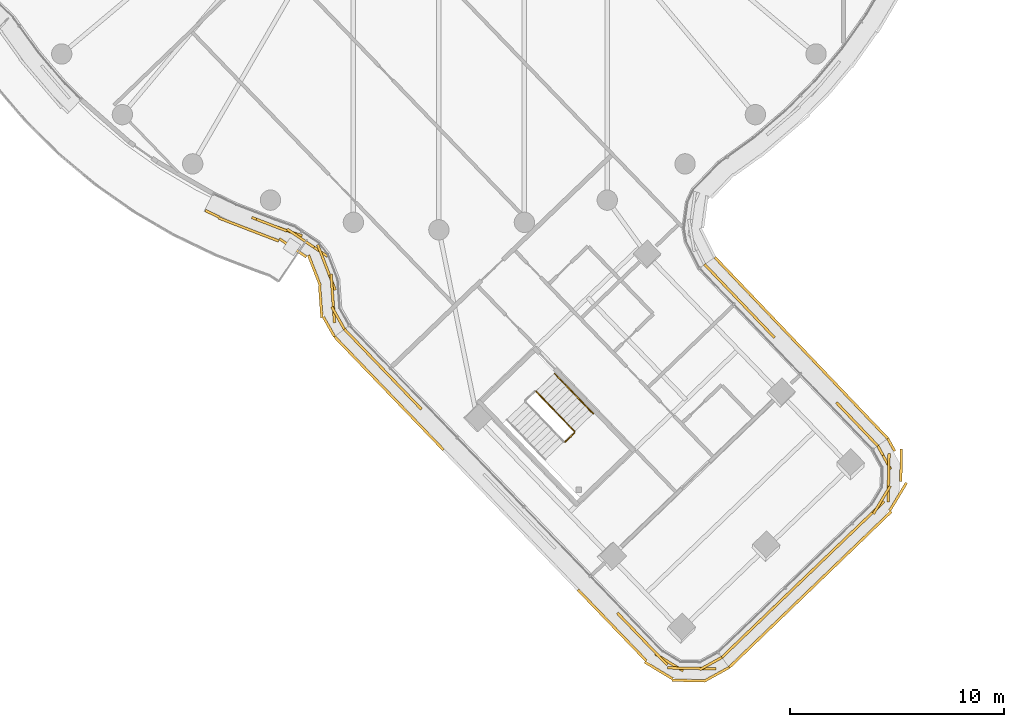
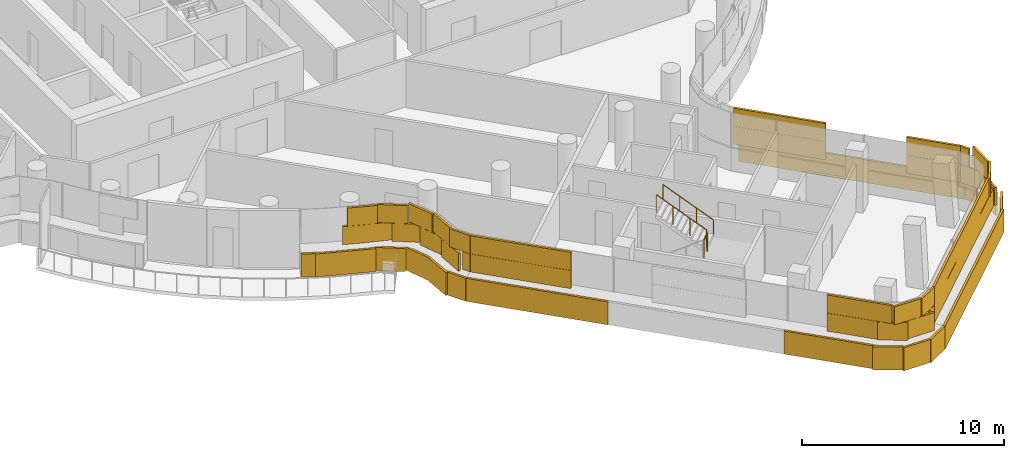
# One storey, part 28 of 34: 5 coverings, 3 railings.
"""IFC4 building model written with IfcOpenShell, lengths in metres."""

from ifc_helpers import new_model, si_unit, direction, frame, origin, origin_2d, place, context, subcontext, project, spatial, rectangle, circle, extrude, material, layer, layer_set, type_object, element, save


model = new_model("IFC4")

# Units and contexts
model_context = context("Model", 3, precision=1e-05, world=origin(), true_north=direction((0.0, 1.0)))
body_context = subcontext(model_context, "Body", "Model", "MODEL_VIEW")
ifc_project = project(units=[si_unit("LENGTHUNIT", "METRE"), si_unit("AREAUNIT", "SQUARE_METRE"), si_unit("VOLUMEUNIT", "CUBIC_METRE"), si_unit("PLANEANGLEUNIT", "RADIAN"), si_unit("MASSUNIT", "GRAM", prefix="KILO")], contexts=[model_context])

# Site, building, storey
site_placement = place(None, origin())
site = spatial("IfcSite", under=ifc_project, at=site_placement, CompositionType="ELEMENT")
building_placement = place(site_placement, origin())
building = spatial("IfcBuilding", under=site, at=building_placement, Name="Tamarind Cross Interchange Tower", CompositionType="ELEMENT")
storey_placement = place(building_placement, frame((0.0, 0.0, 193.300048828125)))
storey = spatial("IfcBuildingStorey", under=building, at=storey_placement, Name="L48", CompositionType="ELEMENT", Elevation=193.300048828125)

# Railings
ifc_material_1 = material(Name="Stair guard")
railing_type_1 = type_object("IfcRailingType", Name="Stair guard", PredefinedType="GUARDRAIL", material=ifc_material_1)
railing_1_placement = place(storey_placement, frame((5.90478515625, -32.900634765625, 1.800048828125)))
element("IfcRailing", 1, at=railing_1_placement, inside=storey, type_object=railing_type_1, Name="L48 ST6 stair guard 2", PredefinedType="GUARDRAIL", context=body_context, shape_type="SweptSolid", body=[
    extrude(circle(Radius=0.02392578125, at=origin_2d()), frame((0.0, 0.0, 1.076171875), z_axis=(0.721005055194, 0.692929801917, 0.0), x_axis=(-0.692929801917, 0.721005055194, 0.0)), (0.0, 0.0, 1.0), 0.60009765625),
    extrude(circle(Radius=0.02099609375, at=origin_2d()), origin(), (0.0, 0.0, 1.0), 1.052001953125),
    extrude(circle(Radius=0.02099609375, at=origin_2d()), frame((0.4326171875, 0.415771484375, 0.0)), (0.0, 0.0, 1.0), 1.052001953125),
])
railing_2_placement = place(storey_placement, frame((6.338623046875, -32.4140625, 1.963623046875)))
element("IfcRailing", 2, at=railing_2_placement, inside=storey, type_object=railing_type_1, Name="L48 ST6 stair guard 3", PredefinedType="GUARDRAIL", context=body_context, shape_type="SweptSolid", body=[
    extrude(circle(Radius=0.02392578125, at=origin_2d()), frame((0.0, 0.0, 1.076171875), z_axis=(-0.586664890144, 0.610029761142, 0.532623691919), x_axis=(-0.720775322287, -0.693168763565, 0.0)), (0.0, 0.0, 1.0), 3.072021484375),
    extrude(circle(Radius=0.02099609375, at=origin_2d()), origin(), (0.0, 0.0, 1.0), 1.052001953125),
    extrude(circle(Radius=0.02099609375, at=origin_2d()), frame((-0.600830078125, 0.624755859375, 0.54541015625)), (0.0, 0.0, 1.0), 1.052001953125),
    extrude(circle(Radius=0.02099609375, at=origin_2d()), frame((-1.201416015625, 1.249267578125, 1.0908203125)), (0.0, 0.0, 1.0), 1.052001953125),
    extrude(circle(Radius=0.02099609375, at=origin_2d()), frame((-1.80224609375, 1.8740234375, 1.63623046875)), (0.0, 0.0, 1.0), 1.052001953125),
])
ifc_material_2 = material(Name="Stair handrail")
railing_type_2 = type_object("IfcRailingType", Name="Stair handrail", PredefinedType="HANDRAIL", material=ifc_material_2)
railing_3_placement = place(storey_placement, frame((7.20361328125, -31.582275390625, 1.963623046875)))
element("IfcRailing", 3, at=railing_3_placement, inside=storey, type_object=railing_type_2, Name="L48 ST6 stair handrail 2", PredefinedType="HANDRAIL", context=body_context, shape_type="SweptSolid", body=[
    extrude(circle(Radius=0.02392578125, at=origin_2d()), frame((0.0, 0.0, 0.8759765625), z_axis=(-0.586664890144, 0.610029761142, 0.532623691919), x_axis=(-0.720775322287, -0.693168763565, 0.0)), (0.0, 0.0, 1.0), 3.072021484375),
    extrude(circle(Radius=0.02099609375, at=origin_2d()), origin(), (0.0, 0.0, 1.0), 0.851806640625),
    extrude(circle(Radius=0.02099609375, at=origin_2d()), frame((-0.600830078125, 0.624755859375, 0.54541015625)), (0.0, 0.0, 1.0), 0.851806640625),
    extrude(circle(Radius=0.02099609375, at=origin_2d()), frame((-1.201416015625, 1.249267578125, 1.0908203125)), (0.0, 0.0, 1.0), 0.851806640625),
    extrude(circle(Radius=0.02099609375, at=origin_2d()), frame((-1.80224609375, 1.8740234375, 1.63623046875)), (0.0, 0.0, 1.0), 0.851806640625),
])

# Coverings
ifc_material_3 = material(Name="Terracotta", Category="masonry")
ifc_layer = layer(ifc_material_3, 0.1201171875)
ifc_layer_set = layer_set([ifc_layer], Name="Terracotta")
covering_type = type_object("IfcCoveringType", Name="Terracotta baguette screen unit", PredefinedType="MOLDING", material=ifc_layer_set)
covering_1_placement = place(storey_placement, origin())
element("IfcCovering", 4, at=covering_1_placement, inside=storey, type_object=covering_type, Name="SCR-L48-02-01", PredefinedType="MOLDING", context=body_context, shape_type="SweptSolid", body=[
    extrude(rectangle(XDim=0.998291015625, YDim=0.1201171875, at=origin_2d()), frame((-8.275146484375, -22.6015625, 1.40380859375), z_axis=(0.0, 0.0, 1.0), x_axis=(0.933146843667, -0.359495435512, 0.0)), (0.0, 0.0, 1.0), 1.092041015625),
    extrude(rectangle(XDim=1.52001953125, YDim=0.1201171875, at=origin_2d()), frame((-7.107666015625, -23.03125, 1.40380859375), z_axis=(0.0, 0.0, 1.0), x_axis=(0.943071752492, -0.332589340856, 0.0)), (0.0, 0.0, 1.0), 1.092041015625),
    extrude(rectangle(XDim=1.52001953125, YDim=0.1201171875, at=origin_2d()), frame((-5.835205078125, -23.8125, 1.40380859375), z_axis=(0.0, 0.0, 1.0), x_axis=(0.829016203215, -0.559224583515, 0.0)), (0.0, 0.0, 1.0), 1.092041015625),
    extrude(rectangle(XDim=1.52001953125, YDim=0.1201171875, at=origin_2d()), frame((-5.11669921875, -25.102783203125, 1.40380859375), z_axis=(0.0, 0.0, 1.0), x_axis=(0.360832415661, -0.932630670635, 0.0)), (0.0, 0.0, 1.0), 1.092041015625),
    extrude(rectangle(XDim=1.52001953125, YDim=0.1201171875, at=origin_2d()), frame((-4.92822265625, -26.580810546875, 1.40380859375), z_axis=(0.0, 0.0, 1.0), x_axis=(0.071577374137, -0.997435050272, 0.0)), (0.0, 0.0, 1.0), 1.092041015625),
    extrude(rectangle(XDim=0.453857421875, YDim=0.1201171875, at=origin_2d()), frame((-4.5205078125, -27.4482421875, 1.40380859375), z_axis=(0.0, 0.0, 1.0), x_axis=(0.4922323069, -0.87046387406, 0.0)), (0.0, 0.0, 1.0), 1.092041015625),
    extrude(rectangle(XDim=1.52001953125, YDim=0.1201171875, at=origin_2d()), frame((-7.81396484375, -22.779296875, 2.50390625), z_axis=(0.0, 0.0, 1.0), x_axis=(0.933146843667, -0.359495435512, 0.0)), (0.0, 0.0, 1.0), 1.092041015625),
    extrude(rectangle(XDim=1.52001953125, YDim=0.1201171875, at=origin_2d()), frame((-6.45703125, -23.39306640625, 2.50390625), z_axis=(0.0, 0.0, 1.0), x_axis=(0.829016203215, -0.559224583515, 0.0)), (0.0, 0.0, 1.0), 1.092041015625),
    extrude(rectangle(XDim=1.52001953125, YDim=0.1201171875, at=origin_2d()), frame((-5.38720703125, -24.4033203125, 2.50390625), z_axis=(0.0, 0.0, 1.0), x_axis=(0.360832415661, -0.932630670635, 0.0)), (0.0, 0.0, 1.0), 1.092041015625),
    extrude(rectangle(XDim=1.52001953125, YDim=0.1201171875, at=origin_2d()), frame((-4.98193359375, -25.832763671875, 2.50390625), z_axis=(0.0, 0.0, 1.0), x_axis=(0.071577374137, -0.997435050272, 0.0)), (0.0, 0.0, 1.0), 1.092041015625),
    extrude(rectangle(XDim=1.203857421875, YDim=0.1201171875, at=origin_2d()), frame((-4.705078125, -27.121826171875, 2.50390625), z_axis=(0.0, 0.0, 1.0), x_axis=(0.4922323069, -0.87046387406, 0.0)), (0.0, 0.0, 1.0), 1.092041015625),
    extrude(rectangle(XDim=0.720458984375, YDim=0.1201171875, at=origin_2d()), frame((-10.58642578125, -22.249755859375, 0.00390625), z_axis=(0.0, 0.0, 1.0), x_axis=(0.900272776334, -0.435326231914, 0.0)), (0.0, 0.0, 1.0), 1.39208984375),
    extrude(rectangle(XDim=1.52001953125, YDim=0.1201171875, at=origin_2d()), frame((-9.588134765625, -22.7109375, 0.00390625), z_axis=(0.0, 0.0, 1.0), x_axis=(0.933146843667, -0.359495435512, 0.0)), (0.0, 0.0, 1.0), 1.39208984375),
    extrude(rectangle(XDim=1.52001953125, YDim=0.1201171875, at=origin_2d()), frame((-8.188232421875, -23.250244140625, 0.00390625), z_axis=(0.0, 0.0, 1.0), x_axis=(0.933146843667, -0.359495435512, 0.0)), (0.0, 0.0, 1.0), 1.39208984375),
    extrude(rectangle(XDim=1.52001953125, YDim=0.1201171875, at=origin_2d()), frame((-6.819091796875, -23.84130859375, 0.00390625), z_axis=(0.0, 0.0, 1.0), x_axis=(0.829016203215, -0.559224583515, 0.0)), (0.0, 0.0, 1.0), 1.39208984375),
    extrude(rectangle(XDim=1.52001953125, YDim=0.1201171875, at=origin_2d()), frame((-5.8134765625, -24.892333984375, 0.00390625), z_axis=(0.0, 0.0, 1.0), x_axis=(0.360832415661, -0.932630670635, 0.0)), (0.0, 0.0, 1.0), 1.39208984375),
    extrude(rectangle(XDim=1.52001953125, YDim=0.1201171875, at=origin_2d()), frame((-5.5205078125, -26.346923828125, 0.00390625), z_axis=(0.0, 0.0, 1.0), x_axis=(0.071577374137, -0.997435050272, 0.0)), (0.0, 0.0, 1.0), 1.39208984375),
    extrude(rectangle(XDim=1.060791015625, YDim=0.1201171875, at=origin_2d()), frame((-5.13623046875, -27.525390625, 0.00390625), z_axis=(0.0, 0.0, 1.0), x_axis=(0.4922323069, -0.87046387406, 0.0)), (0.0, 0.0, 1.0), 1.39208984375),
])
covering_2_placement = place(storey_placement, origin())
element("IfcCovering", 5, at=covering_2_placement, inside=storey, type_object=covering_type, Name="SCR-L48-03-00", PredefinedType="MOLDING", context=body_context, shape_type="SweptSolid", body=[
    extrude(rectangle(XDim=1.510009765625, YDim=0.1201171875, at=origin_2d()), frame((-3.891357421875, -28.181884765625, 1.40380859375), z_axis=(0.0, 0.0, 1.0), x_axis=(0.69317039432, -0.720773753988, 0.0)), (0.0, 0.0, 1.0), 1.092041015625),
    extrude(rectangle(XDim=1.52001953125, YDim=0.1201171875, at=origin_2d()), frame((-2.8515625, -29.26318359375, 1.40380859375), z_axis=(0.0, 0.0, 1.0), x_axis=(0.69317039432, -0.720773753988, 0.0)), (0.0, 0.0, 1.0), 1.092041015625),
    extrude(rectangle(XDim=1.52001953125, YDim=0.1201171875, at=origin_2d()), frame((-1.81201171875, -30.34423828125, 1.40380859375), z_axis=(0.0, 0.0, 1.0), x_axis=(0.69317039432, -0.720773753988, 0.0)), (0.0, 0.0, 1.0), 1.092041015625),
    extrude(rectangle(XDim=0.6982421875, YDim=0.1201171875, at=origin_2d()), frame((-1.053466796875, -31.1328125, 1.40380859375), z_axis=(0.0, 0.0, 1.0), x_axis=(0.69317039432, -0.720773753988, 0.0)), (0.0, 0.0, 1.0), 1.092041015625),
    extrude(rectangle(XDim=0.760009765625, YDim=0.1201171875, at=origin_2d()), frame((-4.1513671875, -27.91162109375, 2.50390625), z_axis=(0.0, 0.0, 1.0), x_axis=(0.69317039432, -0.720773753988, 0.0)), (0.0, 0.0, 1.0), 1.092041015625),
    extrude(rectangle(XDim=1.52001953125, YDim=0.1201171875, at=origin_2d()), frame((-3.37158203125, -28.72265625, 2.50390625), z_axis=(0.0, 0.0, 1.0), x_axis=(0.69317039432, -0.720773753988, 0.0)), (0.0, 0.0, 1.0), 1.092041015625),
    extrude(rectangle(XDim=1.52001953125, YDim=0.1201171875, at=origin_2d()), frame((-2.331787109375, -29.8037109375, 2.50390625), z_axis=(0.0, 0.0, 1.0), x_axis=(0.69317039432, -0.720773753988, 0.0)), (0.0, 0.0, 1.0), 1.092041015625),
    extrude(rectangle(XDim=1.4482421875, YDim=0.1201171875, at=origin_2d()), frame((-1.3134765625, -30.862548828125, 2.50390625), z_axis=(0.0, 0.0, 1.0), x_axis=(0.69317039432, -0.720773753988, 0.0)), (0.0, 0.0, 1.0), 1.092041015625),
    extrude(rectangle(XDim=1.510009765625, YDim=0.1201171875, at=origin_2d()), frame((-4.351806640625, -28.53125, 0.00390625), z_axis=(0.0, 0.0, 1.0), x_axis=(0.69317039432, -0.720773753988, 0.0)), (0.0, 0.0, 1.0), 1.39208984375),
    extrude(rectangle(XDim=1.52001953125, YDim=0.1201171875, at=origin_2d()), frame((-3.315673828125, -29.60888671875, 0.00390625), z_axis=(0.0, 0.0, 1.0), x_axis=(0.69317039432, -0.720773753988, 0.0)), (0.0, 0.0, 1.0), 1.39208984375),
    extrude(rectangle(XDim=1.52001953125, YDim=0.1201171875, at=origin_2d()), frame((-2.27587890625, -30.68994140625, 0.00390625), z_axis=(0.0, 0.0, 1.0), x_axis=(0.69317039432, -0.720773753988, 0.0)), (0.0, 0.0, 1.0), 1.39208984375),
    extrude(rectangle(XDim=1.52001953125, YDim=0.1201171875, at=origin_2d()), frame((-1.236083984375, -31.77099609375, 0.00390625), z_axis=(0.0, 0.0, 1.0), x_axis=(0.69317039432, -0.720773753988, 0.0)), (0.0, 0.0, 1.0), 1.39208984375),
    extrude(rectangle(XDim=1.34912109375, YDim=0.1201171875, at=origin_2d()), frame((-0.255615234375, -32.790771484375, 0.00390625), z_axis=(0.0, 0.0, 1.0), x_axis=(0.69317039432, -0.720773753988, 0.0)), (0.0, 0.0, 1.0), 1.39208984375),
])
covering_3_placement = place(storey_placement, origin())
element("IfcCovering", 6, at=covering_3_placement, inside=storey, type_object=covering_type, Name="SCR-L48-03-02", PredefinedType="MOLDING", context=body_context, shape_type="SweptSolid", body=[
    extrude(rectangle(XDim=1.112060546875, YDim=0.1201171875, at=origin_2d()), frame((8.7236328125, -41.29931640625, 1.40380859375), z_axis=(0.0, 0.0, 1.0), x_axis=(0.69317039432, -0.720773753988, 0.0)), (0.0, 0.0, 1.0), 1.092041015625),
    extrude(rectangle(XDim=1.52001953125, YDim=0.1201171875, at=origin_2d()), frame((9.62548828125, -42.237060546875, 1.40380859375), z_axis=(0.0, 0.0, 1.0), x_axis=(0.69317039432, -0.720773753988, 0.0)), (0.0, 0.0, 1.0), 1.092041015625),
    extrude(rectangle(XDim=1.52001953125, YDim=0.1201171875, at=origin_2d()), frame((10.755859375, -43.20458984375, 1.40380859375), z_axis=(0.0, 0.0, 1.0), x_axis=(0.856101160635, -0.516808284337, 0.0)), (0.0, 0.0, 1.0), 1.092041015625),
    extrude(rectangle(XDim=1.52001953125, YDim=0.1201171875, at=origin_2d()), frame((12.181640625, -43.48974609375, 1.40380859375), z_axis=(0.0, 0.0, 1.0), x_axis=(0.999809495488, -0.019518522804, 0.0)), (0.0, 0.0, 1.0), 1.092041015625),
    extrude(rectangle(XDim=0.428955078125, YDim=0.1201171875, at=origin_2d()), frame((13.033935546875, -43.075439453125, 1.40380859375), z_axis=(0.0, 0.0, 1.0), x_axis=(0.875619683439, 0.483001211151, 0.0)), (0.0, 0.0, 1.0), 1.092041015625),
    extrude(rectangle(XDim=0.362060546875, YDim=0.1201171875, at=origin_2d()), frame((8.463623046875, -41.029052734375, 2.50390625), z_axis=(0.0, 0.0, 1.0), x_axis=(0.69317039432, -0.720773753988, 0.0)), (0.0, 0.0, 1.0), 1.092041015625),
    extrude(rectangle(XDim=1.52001953125, YDim=0.1201171875, at=origin_2d()), frame((9.10546875, -41.696533203125, 2.50390625), z_axis=(0.0, 0.0, 1.0), x_axis=(0.69317039432, -0.720773753988, 0.0)), (0.0, 0.0, 1.0), 1.092041015625),
    extrude(rectangle(XDim=1.52001953125, YDim=0.1201171875, at=origin_2d()), frame((10.145263671875, -42.777587890625, 2.50390625), z_axis=(0.0, 0.0, 1.0), x_axis=(0.69317039432, -0.720773753988, 0.0)), (0.0, 0.0, 1.0), 1.092041015625),
    extrude(rectangle(XDim=1.52001953125, YDim=0.1201171875, at=origin_2d()), frame((11.431884765625, -43.47509765625, 2.50390625), z_axis=(0.0, 0.0, 1.0), x_axis=(0.999809495488, -0.019518522804, 0.0)), (0.0, 0.0, 1.0), 1.092041015625),
    extrude(rectangle(XDim=1.178955078125, YDim=0.1201171875, at=origin_2d()), frame((12.70556640625, -43.256591796875, 2.50390625), z_axis=(0.0, 0.0, 1.0), x_axis=(0.875619683439, 0.483001211151, 0.0)), (0.0, 0.0, 1.0), 1.092041015625),
    extrude(rectangle(XDim=0.09814453125, YDim=0.1201171875, at=origin_2d()), frame((6.534912109375, -39.8515625, 0.00390625), z_axis=(0.0, 0.0, 1.0), x_axis=(0.69317039432, -0.720773753988, 0.0)), (0.0, 0.0, 1.0), 1.39208984375),
    extrude(rectangle(XDim=1.52001953125, YDim=0.1201171875, at=origin_2d()), frame((7.08203125, -40.42041015625, 0.00390625), z_axis=(0.0, 0.0, 1.0), x_axis=(0.69317039432, -0.720773753988, 0.0)), (0.0, 0.0, 1.0), 1.39208984375),
    extrude(rectangle(XDim=1.52001953125, YDim=0.1201171875, at=origin_2d()), frame((8.12158203125, -41.50146484375, 0.00390625), z_axis=(0.0, 0.0, 1.0), x_axis=(0.69317039432, -0.720773753988, 0.0)), (0.0, 0.0, 1.0), 1.39208984375),
    extrude(rectangle(XDim=1.52001953125, YDim=0.1201171875, at=origin_2d()), frame((9.161376953125, -42.582763671875, 0.00390625), z_axis=(0.0, 0.0, 1.0), x_axis=(0.69317039432, -0.720773753988, 0.0)), (0.0, 0.0, 1.0), 1.39208984375),
    extrude(rectangle(XDim=1.52001953125, YDim=0.1201171875, at=origin_2d()), frame((10.267822265625, -43.58056640625, 0.00390625), z_axis=(0.0, 0.0, 1.0), x_axis=(0.856101160635, -0.516808284337, 0.0)), (0.0, 0.0, 1.0), 1.39208984375),
    extrude(rectangle(XDim=1.52001953125, YDim=0.1201171875, at=origin_2d()), frame((11.639404296875, -44.05322265625, 0.00390625), z_axis=(0.0, 0.0, 1.0), x_axis=(0.999809495488, -0.019518522804, 0.0)), (0.0, 0.0, 1.0), 1.39208984375),
    extrude(rectangle(XDim=1.343505859375, YDim=0.1201171875, at=origin_2d()), frame((12.97265625, -43.7646484375, 0.00390625), z_axis=(0.0, 0.0, 1.0), x_axis=(0.875619683439, 0.483001211151, 0.0)), (0.0, 0.0, 1.0), 1.39208984375),
])
covering_4_placement = place(storey_placement, origin())
element("IfcCovering", 7, at=covering_4_placement, inside=storey, type_object=covering_type, Name="SCR-L48-04-00", PredefinedType="MOLDING", context=body_context, shape_type="SweptSolid", body=[
    extrude(rectangle(XDim=1.510009765625, YDim=0.1201171875, at=origin_2d()), frame((13.758056640625, -42.454345703125, 1.40380859375), z_axis=(0.0, 0.0, 1.0), x_axis=(0.720773753988, 0.69317039432, 0.0)), (0.0, 0.0, 1.0), 1.092041015625),
    extrude(rectangle(XDim=1.52001953125, YDim=0.1201171875, at=origin_2d()), frame((14.83935546875, -41.41455078125, 1.40380859375), z_axis=(0.0, 0.0, 1.0), x_axis=(0.720773753988, 0.69317039432, 0.0)), (0.0, 0.0, 1.0), 1.092041015625),
    extrude(rectangle(XDim=1.52001953125, YDim=0.1201171875, at=origin_2d()), frame((15.92041015625, -40.374755859375, 1.40380859375), z_axis=(0.0, 0.0, 1.0), x_axis=(0.720773753988, 0.69317039432, 0.0)), (0.0, 0.0, 1.0), 1.092041015625),
    extrude(rectangle(XDim=1.52001953125, YDim=0.1201171875, at=origin_2d()), frame((17.00146484375, -39.3349609375, 1.40380859375), z_axis=(0.0, 0.0, 1.0), x_axis=(0.720773753988, 0.69317039432, 0.0)), (0.0, 0.0, 1.0), 1.092041015625),
    extrude(rectangle(XDim=1.52001953125, YDim=0.1201171875, at=origin_2d()), frame((18.082763671875, -38.29541015625, 1.40380859375), z_axis=(0.0, 0.0, 1.0), x_axis=(0.720773753988, 0.69317039432, 0.0)), (0.0, 0.0, 1.0), 1.092041015625),
    extrude(rectangle(XDim=1.52001953125, YDim=0.1201171875, at=origin_2d()), frame((19.163818359375, -37.255615234375, 1.40380859375), z_axis=(0.0, 0.0, 1.0), x_axis=(0.720773753988, 0.69317039432, 0.0)), (0.0, 0.0, 1.0), 1.092041015625),
    extrude(rectangle(XDim=1.52001953125, YDim=0.1201171875, at=origin_2d()), frame((20.2451171875, -36.2158203125, 1.40380859375), z_axis=(0.0, 0.0, 1.0), x_axis=(0.720773753988, 0.69317039432, 0.0)), (0.0, 0.0, 1.0), 1.092041015625),
    extrude(rectangle(XDim=1.52001953125, YDim=0.1201171875, at=origin_2d()), frame((20.9990234375, -34.953857421875, 1.40380859375), z_axis=(0.0, 0.0, 1.0), x_axis=(0.019518522804, 0.999809495488, 0.0)), (0.0, 0.0, 1.0), 1.092041015625),
    extrude(rectangle(XDim=1.259521484375, YDim=0.1201171875, at=origin_2d()), frame((20.801513671875, -33.634765625, 1.40380859375), z_axis=(0.0, 0.0, 1.0), x_axis=(-0.483001211151, 0.875619683439, 0.0)), (0.0, 0.0, 1.0), 1.092041015625),
    extrude(rectangle(XDim=0.760009765625, YDim=0.1201171875, at=origin_2d()), frame((13.48779296875, -42.71435546875, 2.50390625), z_axis=(0.0, 0.0, 1.0), x_axis=(0.720773753988, 0.69317039432, 0.0)), (0.0, 0.0, 1.0), 1.092041015625),
    extrude(rectangle(XDim=1.52001953125, YDim=0.1201171875, at=origin_2d()), frame((14.298583984375, -41.934326171875, 2.50390625), z_axis=(0.0, 0.0, 1.0), x_axis=(0.720773753988, 0.69317039432, 0.0)), (0.0, 0.0, 1.0), 1.092041015625),
    extrude(rectangle(XDim=1.52001953125, YDim=0.1201171875, at=origin_2d()), frame((15.3798828125, -40.894775390625, 2.50390625), z_axis=(0.0, 0.0, 1.0), x_axis=(0.720773753988, 0.69317039432, 0.0)), (0.0, 0.0, 1.0), 1.092041015625),
    extrude(rectangle(XDim=1.52001953125, YDim=0.1201171875, at=origin_2d()), frame((16.4609375, -39.85498046875, 2.50390625), z_axis=(0.0, 0.0, 1.0), x_axis=(0.720773753988, 0.69317039432, 0.0)), (0.0, 0.0, 1.0), 1.092041015625),
    extrude(rectangle(XDim=1.52001953125, YDim=0.1201171875, at=origin_2d()), frame((17.542236328125, -38.815185546875, 2.50390625), z_axis=(0.0, 0.0, 1.0), x_axis=(0.720773753988, 0.69317039432, 0.0)), (0.0, 0.0, 1.0), 1.092041015625),
    extrude(rectangle(XDim=1.52001953125, YDim=0.1201171875, at=origin_2d()), frame((18.623291015625, -37.775390625, 2.50390625), z_axis=(0.0, 0.0, 1.0), x_axis=(0.720773753988, 0.69317039432, 0.0)), (0.0, 0.0, 1.0), 1.092041015625),
    extrude(rectangle(XDim=1.52001953125, YDim=0.1201171875, at=origin_2d()), frame((19.70458984375, -36.735595703125, 2.50390625), z_axis=(0.0, 0.0, 1.0), x_axis=(0.720773753988, 0.69317039432, 0.0)), (0.0, 0.0, 1.0), 1.092041015625),
    extrude(rectangle(XDim=1.52001953125, YDim=0.1201171875, at=origin_2d()), frame((20.6884765625, -35.618408203125, 2.50390625), z_axis=(0.0, 0.0, 1.0), x_axis=(0.516808284337, 0.856101160635, 0.0)), (0.0, 0.0, 1.0), 1.092041015625),
    extrude(rectangle(XDim=1.52001953125, YDim=0.1201171875, at=origin_2d()), frame((21.013671875, -34.2041015625, 2.50390625), z_axis=(0.0, 0.0, 1.0), x_axis=(0.019518522804, 0.999809495488, 0.0)), (0.0, 0.0, 1.0), 1.092041015625),
    extrude(rectangle(XDim=0.509521484375, YDim=0.1201171875, at=origin_2d()), frame((20.620361328125, -33.306396484375, 2.50390625), z_axis=(0.0, 0.0, 1.0), x_axis=(-0.483001211151, 0.875619683439, 0.0)), (0.0, 0.0, 1.0), 1.092041015625),
    extrude(rectangle(XDim=1.510009765625, YDim=0.1201171875, at=origin_2d()), frame((14.105224609375, -42.9169921875, 0.00390625), z_axis=(0.0, 0.0, 1.0), x_axis=(0.720773753988, 0.69317039432, 0.0)), (0.0, 0.0, 1.0), 1.39208984375),
    extrude(rectangle(XDim=1.52001953125, YDim=0.1201171875, at=origin_2d()), frame((15.1826171875, -41.880615234375, 0.00390625), z_axis=(0.0, 0.0, 1.0), x_axis=(0.720773753988, 0.69317039432, 0.0)), (0.0, 0.0, 1.0), 1.39208984375),
    extrude(rectangle(XDim=1.52001953125, YDim=0.1201171875, at=origin_2d()), frame((16.263916015625, -40.8408203125, 0.00390625), z_axis=(0.0, 0.0, 1.0), x_axis=(0.720773753988, 0.69317039432, 0.0)), (0.0, 0.0, 1.0), 1.39208984375),
    extrude(rectangle(XDim=1.52001953125, YDim=0.1201171875, at=origin_2d()), frame((17.344970703125, -39.80126953125, 0.00390625), z_axis=(0.0, 0.0, 1.0), x_axis=(0.720773753988, 0.69317039432, 0.0)), (0.0, 0.0, 1.0), 1.39208984375),
    extrude(rectangle(XDim=1.52001953125, YDim=0.1201171875, at=origin_2d()), frame((18.42626953125, -38.761474609375, 0.00390625), z_axis=(0.0, 0.0, 1.0), x_axis=(0.720773753988, 0.69317039432, 0.0)), (0.0, 0.0, 1.0), 1.39208984375),
    extrude(rectangle(XDim=1.52001953125, YDim=0.1201171875, at=origin_2d()), frame((19.50732421875, -37.7216796875, 0.00390625), z_axis=(0.0, 0.0, 1.0), x_axis=(0.720773753988, 0.69317039432, 0.0)), (0.0, 0.0, 1.0), 1.39208984375),
    extrude(rectangle(XDim=1.52001953125, YDim=0.1201171875, at=origin_2d()), frame((20.58837890625, -36.681884765625, 0.00390625), z_axis=(0.0, 0.0, 1.0), x_axis=(0.720773753988, 0.69317039432, 0.0)), (0.0, 0.0, 1.0), 1.39208984375),
    extrude(rectangle(XDim=1.52001953125, YDim=0.1201171875, at=origin_2d()), frame((21.450439453125, -35.467041015625, 0.00390625), z_axis=(0.0, 0.0, 1.0), x_axis=(0.516808284337, 0.856101160635, 0.0)), (0.0, 0.0, 1.0), 1.39208984375),
    extrude(rectangle(XDim=1.52001953125, YDim=0.1201171875, at=origin_2d()), frame((21.591796875, -33.999755859375, 0.00390625), z_axis=(0.0, 0.0, 1.0), x_axis=(0.019518522804, 0.999809495488, 0.0)), (0.0, 0.0, 1.0), 1.39208984375),
    extrude(rectangle(XDim=0.67578125, YDim=0.1201171875, at=origin_2d()), frame((21.129638671875, -33.041259765625, 0.00390625), z_axis=(0.0, 0.0, 1.0), x_axis=(-0.483001211151, 0.875619683439, 0.0)), (0.0, 0.0, 1.0), 1.39208984375),
])
covering_5_placement = place(storey_placement, origin())
element("IfcCovering", 8, at=covering_5_placement, inside=storey, type_object=covering_type, Name="SCR-L48-05-00", PredefinedType="MOLDING", context=body_context, shape_type="SweptSolid", body=[
    extrude(rectangle(XDim=1.510009765625, YDim=0.1201171875, at=origin_2d()), frame((19.98193359375, -32.545166015625, 1.40380859375), z_axis=(0.0, 0.0, 1.0), x_axis=(-0.690434308615, 0.723395096395, 0.0)), (0.0, 0.0, 1.0), 1.092041015625),
    extrude(rectangle(XDim=1.298828125, YDim=0.1201171875, at=origin_2d()), frame((19.019287109375, -31.53662109375, 1.40380859375), z_axis=(0.0, 0.0, 1.0), x_axis=(-0.690434308615, 0.723395096395, 0.0)), (0.0, 0.0, 1.0), 1.092041015625),
    extrude(rectangle(XDim=0.521240234375, YDim=0.1201171875, at=origin_2d()), frame((15.498046875, -27.84716796875, 1.40380859375), z_axis=(0.0, 0.0, 1.0), x_axis=(-0.690434308615, 0.723395096395, 0.0)), (0.0, 0.0, 1.0), 1.092041015625),
    extrude(rectangle(XDim=1.52001953125, YDim=0.1201171875, at=origin_2d()), frame((14.8037109375, -27.119873046875, 1.40380859375), z_axis=(0.0, 0.0, 1.0), x_axis=(-0.690434308615, 0.723395096395, 0.0)), (0.0, 0.0, 1.0), 1.092041015625),
    extrude(rectangle(XDim=1.52001953125, YDim=0.1201171875, at=origin_2d()), frame((13.76806640625, -26.03466796875, 1.40380859375), z_axis=(0.0, 0.0, 1.0), x_axis=(-0.690434308615, 0.723395096395, 0.0)), (0.0, 0.0, 1.0), 1.092041015625),
    extrude(rectangle(XDim=1.219970703125, YDim=0.1201171875, at=origin_2d()), frame((12.83251953125, -25.054443359375, 1.40380859375), z_axis=(0.0, 0.0, 1.0), x_axis=(-0.690434308615, 0.723395096395, 0.0)), (0.0, 0.0, 1.0), 1.092041015625),
    extrude(rectangle(XDim=0.760009765625, YDim=0.1201171875, at=origin_2d()), frame((20.240966796875, -32.816650390625, 2.50390625), z_axis=(0.0, 0.0, 1.0), x_axis=(-0.690434308615, 0.723395096395, 0.0)), (0.0, 0.0, 1.0), 1.092041015625),
    extrude(rectangle(XDim=1.52001953125, YDim=0.1201171875, at=origin_2d()), frame((19.464111328125, -32.002685546875, 2.50390625), z_axis=(0.0, 0.0, 1.0), x_axis=(-0.690434308615, 0.723395096395, 0.0)), (0.0, 0.0, 1.0), 1.092041015625),
    extrude(rectangle(XDim=0.548828125, YDim=0.1201171875, at=origin_2d()), frame((18.76025390625, -31.265380859375, 2.50390625), z_axis=(0.0, 0.0, 1.0), x_axis=(-0.690434308615, 0.723395096395, 0.0)), (0.0, 0.0, 1.0), 1.092041015625),
    extrude(rectangle(XDim=1.271240234375, YDim=0.1201171875, at=origin_2d()), frame((15.239013671875, -27.575927734375, 2.50390625), z_axis=(0.0, 0.0, 1.0), x_axis=(-0.690434308615, 0.723395096395, 0.0)), (0.0, 0.0, 1.0), 1.092041015625),
    extrude(rectangle(XDim=1.52001953125, YDim=0.1201171875, at=origin_2d()), frame((14.285888671875, -26.5771484375, 2.50390625), z_axis=(0.0, 0.0, 1.0), x_axis=(-0.690434308615, 0.723395096395, 0.0)), (0.0, 0.0, 1.0), 1.092041015625),
    extrude(rectangle(XDim=1.52001953125, YDim=0.1201171875, at=origin_2d()), frame((13.250244140625, -25.4921875, 2.50390625), z_axis=(0.0, 0.0, 1.0), x_axis=(-0.690434308615, 0.723395096395, 0.0)), (0.0, 0.0, 1.0), 1.092041015625),
    extrude(rectangle(XDim=0.469970703125, YDim=0.1201171875, at=origin_2d()), frame((12.57373046875, -24.783203125, 2.50390625), z_axis=(0.0, 0.0, 1.0), x_axis=(-0.690434308615, 0.723395096395, 0.0)), (0.0, 0.0, 1.0), 1.092041015625),
    extrude(rectangle(XDim=1.510009765625, YDim=0.1201171875, at=origin_2d()), frame((20.445068359375, -32.19921875, 0.00390625), z_axis=(0.0, 0.0, 1.0), x_axis=(-0.690434308615, 0.723395096395, 0.0)), (0.0, 0.0, 1.0), 1.39208984375),
    extrude(rectangle(XDim=1.52001953125, YDim=0.1201171875, at=origin_2d()), frame((19.412841796875, -31.11767578125, 0.00390625), z_axis=(0.0, 0.0, 1.0), x_axis=(-0.690434308615, 0.723395096395, 0.0)), (0.0, 0.0, 1.0), 1.39208984375),
    extrude(rectangle(XDim=1.52001953125, YDim=0.1201171875, at=origin_2d()), frame((18.377197265625, -30.03271484375, 0.00390625), z_axis=(0.0, 0.0, 1.0), x_axis=(-0.690434308615, 0.723395096395, 0.0)), (0.0, 0.0, 1.0), 1.39208984375),
    extrude(rectangle(XDim=1.52001953125, YDim=0.1201171875, at=origin_2d()), frame((17.341552734375, -28.947509765625, 0.00390625), z_axis=(0.0, 0.0, 1.0), x_axis=(-0.690434308615, 0.723395096395, 0.0)), (0.0, 0.0, 1.0), 1.39208984375),
    extrude(rectangle(XDim=1.52001953125, YDim=0.1201171875, at=origin_2d()), frame((16.305908203125, -27.862548828125, 0.00390625), z_axis=(0.0, 0.0, 1.0), x_axis=(-0.690434308615, 0.723395096395, 0.0)), (0.0, 0.0, 1.0), 1.39208984375),
    extrude(rectangle(XDim=1.52001953125, YDim=0.1201171875, at=origin_2d()), frame((15.270263671875, -26.77734375, 0.00390625), z_axis=(0.0, 0.0, 1.0), x_axis=(-0.690434308615, 0.723395096395, 0.0)), (0.0, 0.0, 1.0), 1.39208984375),
    extrude(rectangle(XDim=1.52001953125, YDim=0.1201171875, at=origin_2d()), frame((14.234619140625, -25.6923828125, 0.00390625), z_axis=(0.0, 0.0, 1.0), x_axis=(-0.690434308615, 0.723395096395, 0.0)), (0.0, 0.0, 1.0), 1.39208984375),
    extrude(rectangle(XDim=1.208740234375, YDim=0.1201171875, at=origin_2d()), frame((13.306396484375, -24.7197265625, 0.00390625), z_axis=(0.0, 0.0, 1.0), x_axis=(-0.690434308615, 0.723395096395, 0.0)), (0.0, 0.0, 1.0), 1.39208984375),
])

save(model, "model.ifc")
